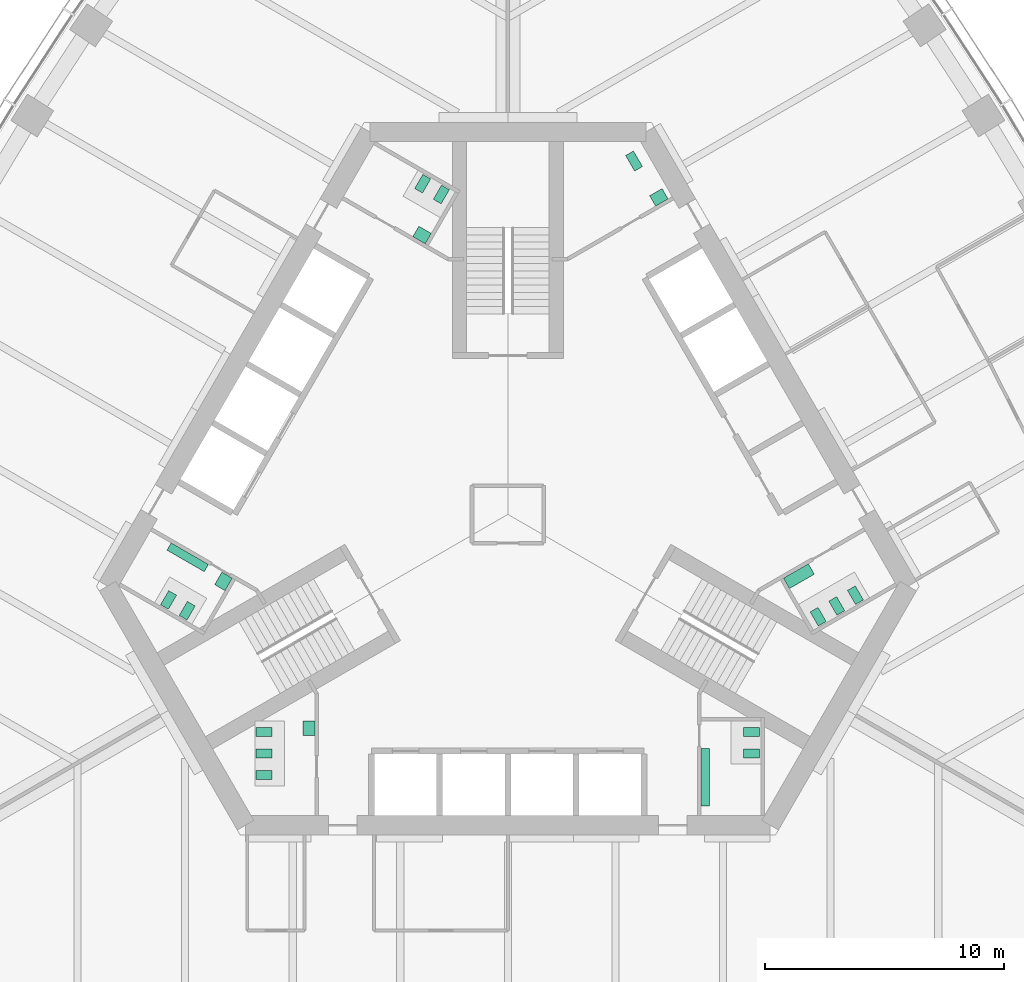
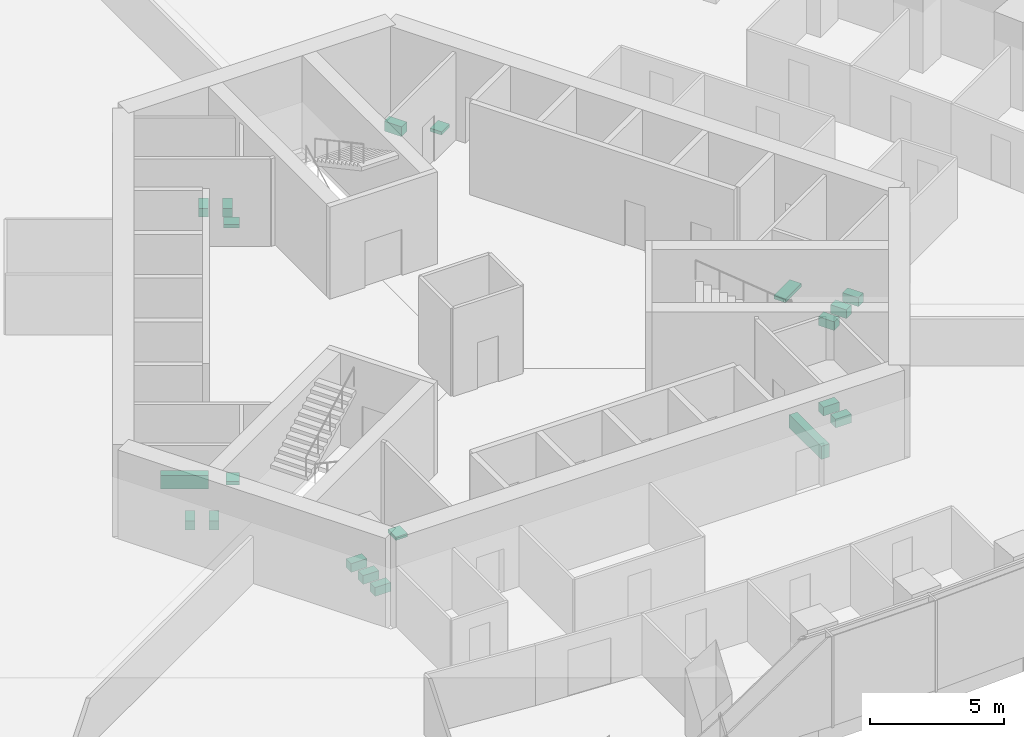
# One storey, part 18 of 19: 20 sanitary terminals.
"""IFC4 building model written with IfcOpenShell, lengths in metres."""

from ifc_helpers import new_model, si_unit, direction, frame, origin, place, context, subcontext, project, spatial, polyline, outline, extrude, material, type_object, element, save


model = new_model("IFC4")

# Units and contexts
model_context = context("Model", 3, precision=1e-05, world=origin(), true_north=direction((0.0, 1.0)))
body_context = subcontext(model_context, "Body", "Model", "MODEL_VIEW")
ifc_project = project(units=[si_unit("LENGTHUNIT", "METRE"), si_unit("AREAUNIT", "SQUARE_METRE"), si_unit("VOLUMEUNIT", "CUBIC_METRE"), si_unit("PLANEANGLEUNIT", "RADIAN"), si_unit("MASSUNIT", "GRAM", prefix="KILO")], contexts=[model_context])

# Site, building, storey
site_placement = place(None, origin())
site = spatial("IfcSite", under=ifc_project, at=site_placement, CompositionType="ELEMENT")
building_placement = place(site_placement, origin())
building = spatial("IfcBuilding", under=site, at=building_placement, Name="Trefoil Bronze Tower", CompositionType="ELEMENT")
storey_placement = place(building_placement, frame((0.0, 0.0, 124.10009765625)))
storey = spatial("IfcBuildingStorey", under=building, at=storey_placement, Name="L28", CompositionType="ELEMENT", Elevation=124.10009765625)

# Sanitary terminals
ifc_material_1 = material(Name="Vitreous china", Category="ceramic")
sanitary_terminal_type_1 = type_object("IfcSanitaryTerminalType", Name="Accessible WC pan", PredefinedType="TOILETPAN", material=ifc_material_1)
sanitary_terminal_1_placement = place(storey_placement, origin())
element("IfcSanitaryTerminal", 1, at=sanitary_terminal_1_placement, inside=storey, type_object=sanitary_terminal_type_1, Name="WC pan 1 Accessible WC L28", PredefinedType="TOILETPAN", context=body_context, shape_type="SweptSolid", body=[
    extrude(outline(polyline([(5.300537109375, 14.359130859375), (4.925537109375, 15.008544921875), (5.254638671875, 15.198486328125), (5.629638671875, 14.549072265625), (5.300537109375, 14.359130859375)])), origin(), (0.0, 0.0, 1.0), 0.449951171875),
])
ifc_material_2 = material(Name="Vitreous china", Category="ceramic")
sanitary_terminal_type_2 = type_object("IfcSanitaryTerminalType", Name="Accessible basin", PredefinedType="WASHHANDBASIN", material=ifc_material_2)
sanitary_terminal_2_placement = place(storey_placement, frame((0.0, 0.0, 0.64990234375)))
element("IfcSanitaryTerminal", 2, at=sanitary_terminal_2_placement, inside=storey, type_object=sanitary_terminal_type_2, Name="Wash basin Accessible WC L28", PredefinedType="WASHHANDBASIN", context=body_context, shape_type="SweptSolid", body=[
    extrude(outline(polyline([(6.181640625, 12.89306640625), (5.931640625, 13.326171875), (6.451171875, 13.626220703125), (6.701171875, 13.193115234375), (6.181640625, 12.89306640625)])), origin(), (0.0, 0.0, 1.0), 0.14990234375),
])
ifc_material_3 = material(Name="Vitreous china", Category="ceramic")
sanitary_terminal_type_3 = type_object("IfcSanitaryTerminalType", Name="Urinal range 3 urinals", PredefinedType="URINAL", material=ifc_material_3)
sanitary_terminal_3_placement = place(storey_placement, frame((0.0, 0.0, 0.39990234375)))
element("IfcSanitaryTerminal", 3, at=sanitary_terminal_3_placement, inside=storey, type_object=sanitary_terminal_type_3, Name="Urinal range WC (men) L28", PredefinedType="URINAL", context=body_context, shape_type="SweptSolid", body=[
    extrude(outline(polyline([(-12.524658203125, -2.09326171875), (-12.699462890625, -2.396240234375), (-14.25830078125, -1.496337890625), (-14.08349609375, -1.193115234375), (-12.524658203125, -2.09326171875)])), origin(), (0.0, 0.0, 1.0), 0.60009765625),
])
ifc_material_4 = material(Name="Vitreous china", Category="ceramic")
sanitary_terminal_type_4 = type_object("IfcSanitaryTerminalType", Name="Urinal range 4 urinals", PredefinedType="URINAL", material=ifc_material_4)
sanitary_terminal_4_placement = place(storey_placement, frame((0.0, 0.0, 0.39990234375)))
element("IfcSanitaryTerminal", 4, at=sanitary_terminal_4_placement, inside=storey, type_object=sanitary_terminal_type_4, Name="Urinal range WC (men) L28", PredefinedType="URINAL", context=body_context, shape_type="SweptSolid", body=[
    extrude(outline(polyline([(8.074951171875, -9.800048828125), (8.425048828125, -9.800048828125), (8.425048828125, -12.199951171875), (8.074951171875, -12.199951171875), (8.074951171875, -9.800048828125)])), origin(), (0.0, 0.0, 1.0), 0.60009765625),
])
ifc_material_5 = material(Name="Solid surface vanity", Category="plastic")
sanitary_terminal_type_5 = type_object("IfcSanitaryTerminalType", Name="Vanity unit 1 basins", PredefinedType="WASHHANDBASIN", material=ifc_material_5)
sanitary_terminal_5_placement = place(storey_placement, frame((0.0, 0.0, 0.75)))
element("IfcSanitaryTerminal", 5, at=sanitary_terminal_5_placement, inside=storey, type_object=sanitary_terminal_type_5, Name="Vanity unit WC (women) L28", PredefinedType="WASHHANDBASIN", context=body_context, shape_type="SweptSolid", body=[
    extrude(outline(polyline([(-3.45361328125, 11.318115234375), (-3.20361328125, 11.751220703125), (-3.72314453125, 12.05126953125), (-3.97314453125, 11.6181640625), (-3.45361328125, 11.318115234375)])), origin(), (0.0, 0.0, 1.0), 0.14990234375),
])
sanitary_terminal_6_placement = place(storey_placement, frame((0.0, 0.0, 0.75)))
element("IfcSanitaryTerminal", 6, at=sanitary_terminal_6_placement, inside=storey, type_object=sanitary_terminal_type_5, Name="Vanity unit WC (men) L28", PredefinedType="WASHHANDBASIN", context=body_context, shape_type="SweptSolid", body=[
    extrude(outline(polyline([(-11.528564453125, -2.668212890625), (-11.82861328125, -3.187744140625), (-12.26171875, -2.937744140625), (-11.961669921875, -2.418212890625), (-11.528564453125, -2.668212890625)])), origin(), (0.0, 0.0, 1.0), 0.14990234375),
])
sanitary_terminal_7_placement = place(storey_placement, frame((0.0, 0.0, 0.75)))
element("IfcSanitaryTerminal", 7, at=sanitary_terminal_7_placement, inside=storey, type_object=sanitary_terminal_type_5, Name="Vanity unit WC (women) L28", PredefinedType="WASHHANDBASIN", context=body_context, shape_type="SweptSolid", body=[
    extrude(outline(polyline([(-8.074951171875, -8.64990234375), (-8.574951171875, -8.64990234375), (-8.574951171875, -9.25), (-8.074951171875, -9.25), (-8.074951171875, -8.64990234375)])), origin(), (0.0, 0.0, 1.0), 0.14990234375),
])
ifc_material_6 = material(Name="Solid surface vanity", Category="plastic")
sanitary_terminal_type_6 = type_object("IfcSanitaryTerminalType", Name="Vanity unit 2 basins", PredefinedType="WASHHANDBASIN", material=ifc_material_6)
sanitary_terminal_8_placement = place(storey_placement, frame((0.0, 0.0, 0.75)))
element("IfcSanitaryTerminal", 8, at=sanitary_terminal_8_placement, inside=storey, type_object=sanitary_terminal_type_6, Name="Vanity unit WC (women) L28", PredefinedType="WASHHANDBASIN", context=body_context, shape_type="SweptSolid", body=[
    extrude(outline(polyline([(11.528564453125, -2.668212890625), (11.778564453125, -3.10107421875), (12.81787109375, -2.501220703125), (12.56787109375, -2.068115234375), (11.528564453125, -2.668212890625)])), origin(), (0.0, 0.0, 1.0), 0.14990234375),
])
ifc_material_7 = material(Name="Vitreous china", Category="ceramic")
sanitary_terminal_type_7 = type_object("IfcSanitaryTerminalType", Name="WC pan", PredefinedType="TOILETPAN", material=ifc_material_7)
sanitary_terminal_9_placement = place(storey_placement, origin())
element("IfcSanitaryTerminal", 9, at=sanitary_terminal_9_placement, inside=storey, type_object=sanitary_terminal_type_7, Name="WC pan 1 WC (men) L28", PredefinedType="TOILETPAN", context=body_context, shape_type="SweptSolid", body=[
    extrude(outline(polyline([(9.85498046875, -8.909912109375), (10.534912109375, -8.909912109375), (10.534912109375, -9.2900390625), (9.85498046875, -9.2900390625), (9.85498046875, -8.909912109375)])), origin(), (0.0, 0.0, 1.0), 0.39990234375),
])
sanitary_terminal_10_placement = place(storey_placement, origin())
element("IfcSanitaryTerminal", 10, at=sanitary_terminal_10_placement, inside=storey, type_object=sanitary_terminal_type_7, Name="WC pan 2 WC (men) L28", PredefinedType="TOILETPAN", context=body_context, shape_type="SweptSolid", body=[
    extrude(outline(polyline([(9.85498046875, -9.81005859375), (10.534912109375, -9.81005859375), (10.534912109375, -10.18994140625), (9.85498046875, -10.18994140625), (9.85498046875, -9.81005859375)])), origin(), (0.0, 0.0, 1.0), 0.39990234375),
])
sanitary_terminal_11_placement = place(storey_placement, origin())
element("IfcSanitaryTerminal", 11, at=sanitary_terminal_11_placement, inside=storey, type_object=sanitary_terminal_type_7, Name="WC pan 1 WC (women) L28", PredefinedType="TOILETPAN", context=body_context, shape_type="SweptSolid", body=[
    extrude(outline(polyline([(12.643798828125, -4.07958984375), (12.98388671875, -4.66845703125), (13.31298828125, -4.478515625), (12.972900390625, -3.8896484375), (12.643798828125, -4.07958984375)])), origin(), (0.0, 0.0, 1.0), 0.39990234375),
])
sanitary_terminal_12_placement = place(storey_placement, origin())
element("IfcSanitaryTerminal", 12, at=sanitary_terminal_12_placement, inside=storey, type_object=sanitary_terminal_type_7, Name="WC pan 2 WC (women) L28", PredefinedType="TOILETPAN", context=body_context, shape_type="SweptSolid", body=[
    extrude(outline(polyline([(13.423095703125, -3.629638671875), (13.76318359375, -4.218505859375), (14.09228515625, -4.028564453125), (13.752197265625, -3.439697265625), (13.423095703125, -3.629638671875)])), origin(), (0.0, 0.0, 1.0), 0.39990234375),
])
sanitary_terminal_13_placement = place(storey_placement, origin())
element("IfcSanitaryTerminal", 13, at=sanitary_terminal_13_placement, inside=storey, type_object=sanitary_terminal_type_7, Name="WC pan 3 WC (women) L28", PredefinedType="TOILETPAN", context=body_context, shape_type="SweptSolid", body=[
    extrude(outline(polyline([(14.20263671875, -3.1796875), (14.542724609375, -3.7685546875), (14.871826171875, -3.57861328125), (14.53173828125, -2.98974609375), (14.20263671875, -3.1796875)])), origin(), (0.0, 0.0, 1.0), 0.39990234375),
])
sanitary_terminal_14_placement = place(storey_placement, origin())
element("IfcSanitaryTerminal", 14, at=sanitary_terminal_14_placement, inside=storey, type_object=sanitary_terminal_type_7, Name="WC pan 1 WC (women) L28", PredefinedType="TOILETPAN", context=body_context, shape_type="SweptSolid", body=[
    extrude(outline(polyline([(-2.788818359375, 12.98974609375), (-2.44873046875, 13.57861328125), (-2.77783203125, 13.7685546875), (-3.117919921875, 13.1796875), (-2.788818359375, 12.98974609375)])), origin(), (0.0, 0.0, 1.0), 0.39990234375),
])
sanitary_terminal_15_placement = place(storey_placement, origin())
element("IfcSanitaryTerminal", 15, at=sanitary_terminal_15_placement, inside=storey, type_object=sanitary_terminal_type_7, Name="WC pan 2 WC (women) L28", PredefinedType="TOILETPAN", context=body_context, shape_type="SweptSolid", body=[
    extrude(outline(polyline([(-3.568115234375, 13.439697265625), (-3.228271484375, 14.028564453125), (-3.557373046875, 14.218505859375), (-3.897216796875, 13.629638671875), (-3.568115234375, 13.439697265625)])), origin(), (0.0, 0.0, 1.0), 0.39990234375),
])
sanitary_terminal_16_placement = place(storey_placement, origin())
element("IfcSanitaryTerminal", 16, at=sanitary_terminal_16_placement, inside=storey, type_object=sanitary_terminal_type_7, Name="WC pan 1 WC (men) L28", PredefinedType="TOILETPAN", context=body_context, shape_type="SweptSolid", body=[
    extrude(outline(polyline([(-13.076904296875, -3.82958984375), (-13.416748046875, -4.41845703125), (-13.745849609375, -4.228515625), (-13.406005859375, -3.6396484375), (-13.076904296875, -3.82958984375)])), origin(), (0.0, 0.0, 1.0), 0.39990234375),
])
sanitary_terminal_17_placement = place(storey_placement, origin())
element("IfcSanitaryTerminal", 17, at=sanitary_terminal_17_placement, inside=storey, type_object=sanitary_terminal_type_7, Name="WC pan 2 WC (men) L28", PredefinedType="TOILETPAN", context=body_context, shape_type="SweptSolid", body=[
    extrude(outline(polyline([(-13.856201171875, -3.379638671875), (-14.1962890625, -3.968505859375), (-14.525390625, -3.778564453125), (-14.185302734375, -3.189697265625), (-13.856201171875, -3.379638671875)])), origin(), (0.0, 0.0, 1.0), 0.39990234375),
])
sanitary_terminal_18_placement = place(storey_placement, origin())
element("IfcSanitaryTerminal", 18, at=sanitary_terminal_18_placement, inside=storey, type_object=sanitary_terminal_type_7, Name="WC pan 1 WC (women) L28", PredefinedType="TOILETPAN", context=body_context, shape_type="SweptSolid", body=[
    extrude(outline(polyline([(-9.85498046875, -8.909912109375), (-10.534912109375, -8.909912109375), (-10.534912109375, -9.2900390625), (-9.85498046875, -9.2900390625), (-9.85498046875, -8.909912109375)])), origin(), (0.0, 0.0, 1.0), 0.39990234375),
])
sanitary_terminal_19_placement = place(storey_placement, origin())
element("IfcSanitaryTerminal", 19, at=sanitary_terminal_19_placement, inside=storey, type_object=sanitary_terminal_type_7, Name="WC pan 2 WC (women) L28", PredefinedType="TOILETPAN", context=body_context, shape_type="SweptSolid", body=[
    extrude(outline(polyline([(-9.85498046875, -9.81005859375), (-10.534912109375, -9.81005859375), (-10.534912109375, -10.18994140625), (-9.85498046875, -10.18994140625), (-9.85498046875, -9.81005859375)])), origin(), (0.0, 0.0, 1.0), 0.39990234375),
])
sanitary_terminal_20_placement = place(storey_placement, origin())
element("IfcSanitaryTerminal", 20, at=sanitary_terminal_20_placement, inside=storey, type_object=sanitary_terminal_type_7, Name="WC pan 3 WC (women) L28", PredefinedType="TOILETPAN", context=body_context, shape_type="SweptSolid", body=[
    extrude(outline(polyline([(-9.85498046875, -10.7099609375), (-10.534912109375, -10.7099609375), (-10.534912109375, -11.090087890625), (-9.85498046875, -11.090087890625), (-9.85498046875, -10.7099609375)])), origin(), (0.0, 0.0, 1.0), 0.39990234375),
])

save(model, "model.ifc")
